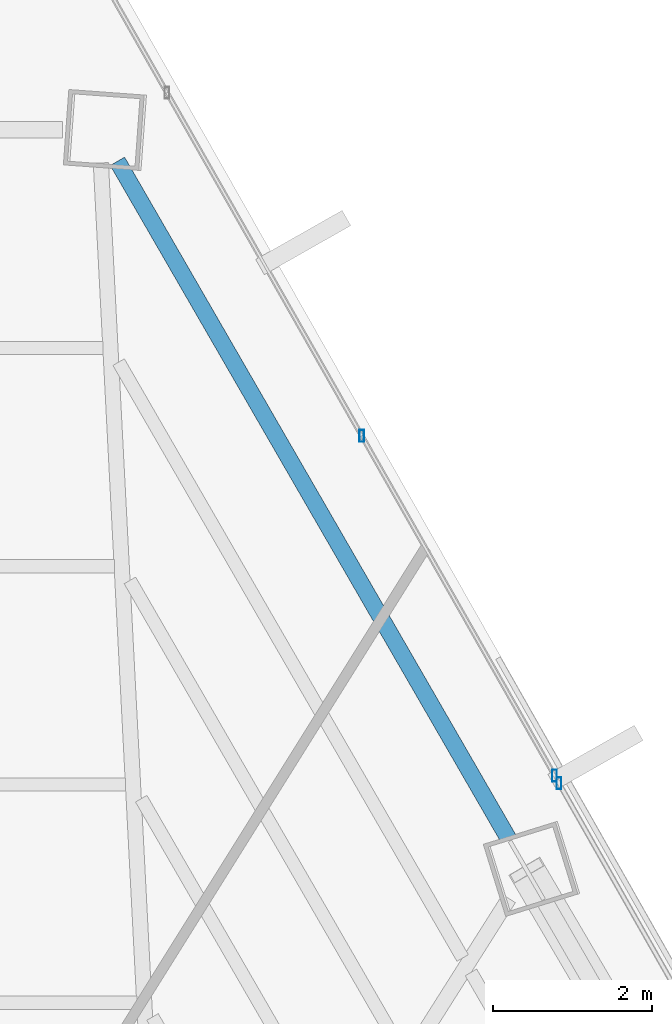
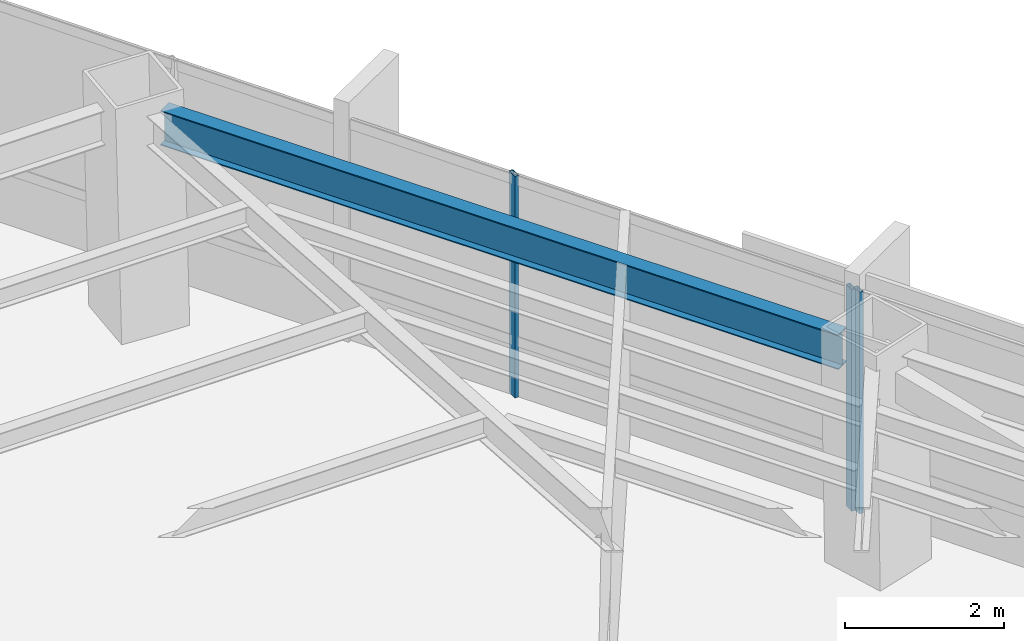
# One storey, part 32 of 41: 3 members, 1 beam, 2 elements without a shape of their own.
"""IFC4 building model written with IfcOpenShell, lengths in metres."""

from ifc_helpers import new_model, si_unit, direction, frame, origin, origin_2d, place, context, subcontext, project, spatial, hollow_rectangle, i_section, extrude, source, transform, mapped, material, material_profile, profile_set, type_object, type_shapes, element, aggregate, save


model = new_model("IFC4")

# Units and contexts
model_context = context("Model", 3, precision=1e-05, world=origin(), true_north=direction((0.0, 1.0)))
body_context = subcontext(model_context, "Body", "Model", "MODEL_VIEW")
ifc_project = project(units=[si_unit("LENGTHUNIT", "METRE"), si_unit("AREAUNIT", "SQUARE_METRE"), si_unit("VOLUMEUNIT", "CUBIC_METRE"), si_unit("PLANEANGLEUNIT", "RADIAN"), si_unit("MASSUNIT", "GRAM", prefix="KILO")], contexts=[model_context])

# Site, building, storey
site_placement = place(None, origin())
site = spatial("IfcSite", under=ifc_project, at=site_placement, CompositionType="ELEMENT")
building_placement = place(site_placement, origin())
building = spatial("IfcBuilding", under=site, at=building_placement, Name="Caelisora Broadcast Tower", CompositionType="ELEMENT")
storey_placement = place(building_placement, frame((0.0, 0.0, 135.449951171875)))
storey = spatial("IfcBuildingStorey", under=building, at=storey_placement, Name="L35", CompositionType="ELEMENT", Elevation=135.449951171875)

# Beam
ifc_material_1 = material(Name="Steel Grade 350 (AS/NZS 3679.1)", Category="steel")
ifc_material_profile_1 = material_profile(ifc_material_1, i_section(OverallWidth=0.208984375, OverallDepth=0.532958984375, WebThickness=0.01025390625, FlangeThickness=0.015625, at=origin_2d()), Name="Steel Grade 350 (AS/NZS 3679.1)")
ifc_profile_set_1 = profile_set([ifc_material_profile_1], Name="Steel Grade 350 (AS/NZS 3679.1)")
beam_type = type_object("IfcBeamType", Name="PG05", PredefinedType="BEAM", material=ifc_profile_set_1)
shared_shape_1 = source(origin(), body_context, "Body", "SweptSolid", [
    extrude(i_section(OverallWidth=0.208984375, OverallDepth=0.532958984375, WebThickness=0.01025390625, FlangeThickness=0.015625, at=origin_2d()), origin(), (0.0, 0.0, 1.0), 9.8359375),
])
type_shapes(beam_type, [shared_shape_1])
beam_placement = place(storey_placement, frame((49.7958984375, 37.551513671875, 3.133544921875), z_axis=(-0.499993889515, 0.866028931646, 0.0), x_axis=(-0.866028931646, -0.499993889515, 0.0)))
element("IfcBeam", 1, at=beam_placement, inside=storey, type_object=beam_type, Name="L35 beam PG05", PredefinedType="BEAM", context=body_context, shape_type="MappedRepresentation", body=[
    mapped(shared_shape_1, transform((0.0, 0.0, 0.0), scale=1.0)),
])

# Curtain wall, members
ifc_material_2 = material(Name="Unitised Aluminium and Low-E Glass Curtain Wall", Category="glass")
curtain_wall_type_1 = type_object("IfcCurtainWallType", Name="CW-Z3", PredefinedType="NOTDEFINED", material=ifc_material_2)
curtain_wall_1_placement = place(storey_placement, origin())
curtain_wall_1 = element("IfcCurtainWall", 2, at=curtain_wall_1_placement, inside=storey, type_object=curtain_wall_type_1, Name="L35 curtain wall CW-Z3", PredefinedType="NOTDEFINED")
ifc_material_3 = material(Name="Aluminium 6063-T6 Anodised Terracotta Bronze", Category="aluminium")
ifc_material_profile_2 = material_profile(ifc_material_3, hollow_rectangle(XDim=0.06005859375, YDim=0.14990234375, WallThickness=0.00341796875, at=origin_2d()), Name="Aluminium 6063-T6 Anodised Terracotta Bronze")
ifc_profile_set_2 = profile_set([ifc_material_profile_2], Name="Aluminium 6063-T6 Anodised Terracotta Bronze")
member_type = type_object("IfcMemberType", Name="CWM-03", PredefinedType="MULLION", material=ifc_profile_set_2)
shared_shape_2 = source(origin(), body_context, "Body", "SweptSolid", [
    extrude(hollow_rectangle(XDim=0.06005859375, YDim=0.14990234375, WallThickness=0.00341796875, at=origin_2d()), origin(), (0.0, 0.0, 1.0), 3.400146484375),
])
type_shapes(member_type, [shared_shape_2])
member_1_placement = place(storey_placement, frame((47.950927734375, 42.616455078125, 0.0), z_axis=(0.0, 0.0, 1.0), x_axis=(1.0, 0.0, 0.0)))
member_1 = element("IfcMember", 3, at=member_1_placement, type_object=member_type, Name="L35-CW-B01 mullion #2", PredefinedType="MULLION", context=body_context, shape_type="MappedRepresentation", body=[
    mapped(shared_shape_2, transform((0.0, 0.0, 0.0), scale=1.0)),
])
member_2_placement = place(storey_placement, frame((50.37548828125, 38.34521484375, 0.0), z_axis=(0.0, 0.0, 1.0), x_axis=(1.0, 0.0, 0.0)))
member_2 = element("IfcMember", 4, at=member_2_placement, type_object=member_type, Name="L35-CW-B01 mullion #3", PredefinedType="MULLION", context=body_context, shape_type="MappedRepresentation", body=[
    mapped(shared_shape_2, transform((0.0, 0.0, 0.0), scale=1.0)),
])
aggregate(curtain_wall_1, [member_1, member_2])

# Curtain wall, member
ifc_material_4 = material(Name="Unitised Aluminium Insulated Shadow-Box Spandrel Curtain Wall", Category="aluminium")
curtain_wall_type_2 = type_object("IfcCurtainWallType", Name="CW-SP2", PredefinedType="NOTDEFINED", material=ifc_material_4)
curtain_wall_2_placement = place(storey_placement, origin())
curtain_wall_2 = element("IfcCurtainWall", 5, at=curtain_wall_2_placement, inside=storey, type_object=curtain_wall_type_2, Name="L35 curtain wall CW-SP2", PredefinedType="NOTDEFINED")
member_3_placement = place(storey_placement, frame((50.4296875, 38.24951171875, 0.0), z_axis=(0.0, 0.0, 1.0), x_axis=(1.0, 0.0, 0.0)))
member_3 = element("IfcMember", 6, at=member_3_placement, type_object=member_type, Name="L35-CW-B02 mullion #0", PredefinedType="MULLION", context=body_context, shape_type="MappedRepresentation", body=[
    mapped(shared_shape_2, transform((0.0, 0.0, 0.0), scale=1.0)),
])
aggregate(curtain_wall_2, [member_3])

save(model, "model.ifc")
